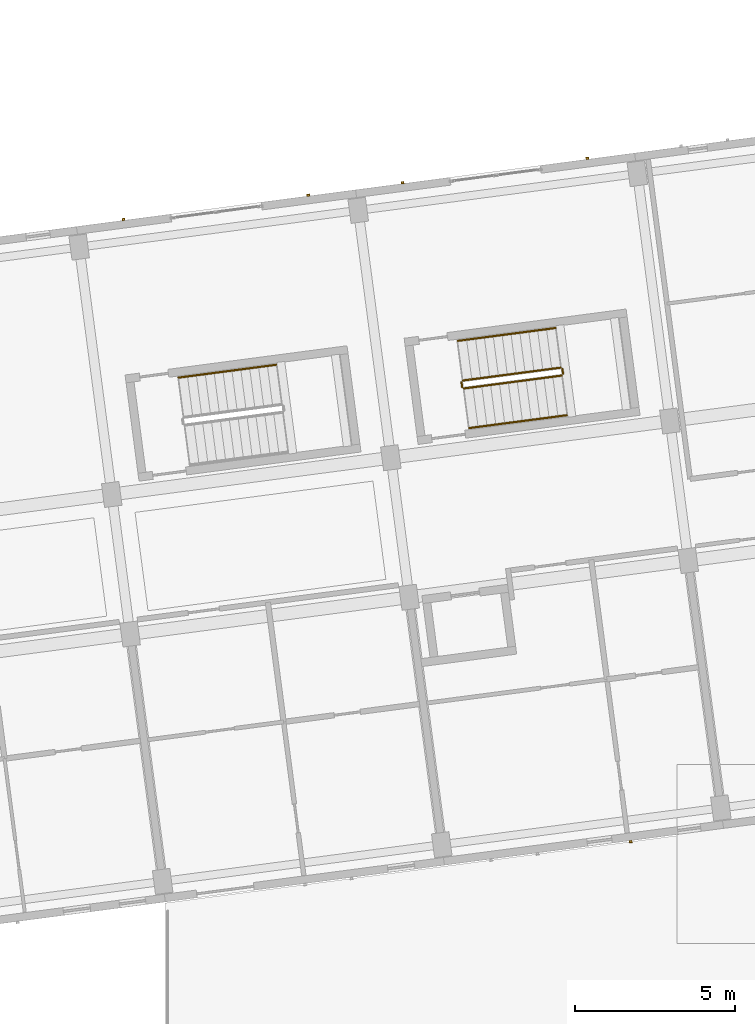
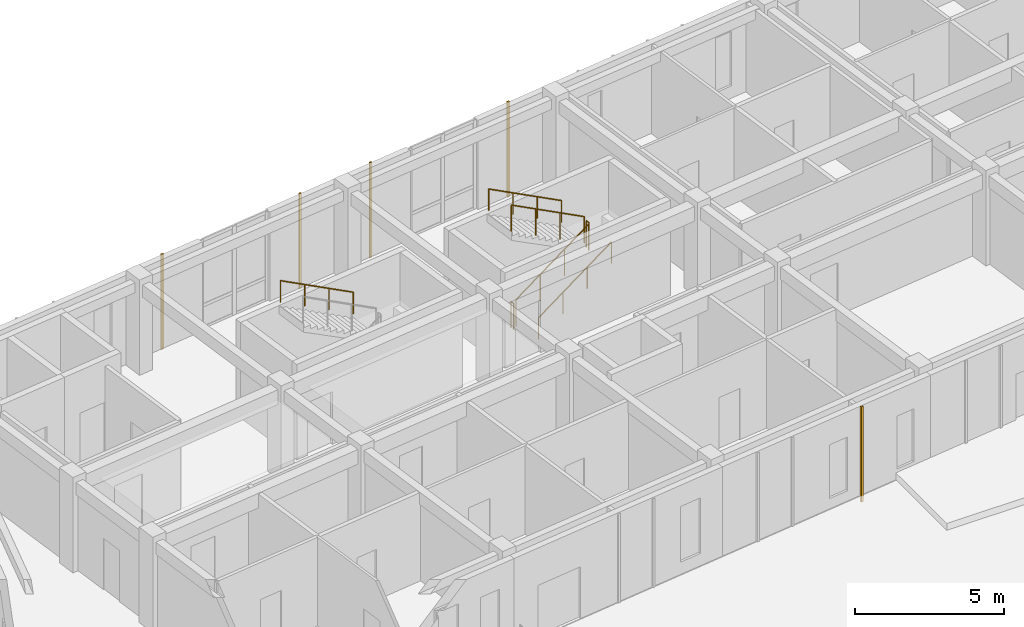
# One storey, part 125 of 150: 7 railings, 5 coverings.
"""IFC4 building model written with IfcOpenShell, lengths in metres."""

from ifc_helpers import new_model, si_unit, direction, frame, origin, origin_2d, place, context, subcontext, project, spatial, rectangle, circle, extrude, material, layer, layer_set, type_object, element, save


model = new_model("IFC4")

# Units and contexts
model_context = context("Model", 3, precision=1e-05, world=origin(), true_north=direction((0.0, 1.0)))
body_context = subcontext(model_context, "Body", "Model", "MODEL_VIEW")
ifc_project = project(units=[si_unit("LENGTHUNIT", "METRE"), si_unit("AREAUNIT", "SQUARE_METRE"), si_unit("VOLUMEUNIT", "CUBIC_METRE"), si_unit("PLANEANGLEUNIT", "RADIAN"), si_unit("MASSUNIT", "GRAM", prefix="KILO")], contexts=[model_context])

# Site, building, storey
site_placement = place(None, origin())
site = spatial("IfcSite", under=ifc_project, at=site_placement, CompositionType="ELEMENT")
building_placement = place(site_placement, origin())
building = spatial("IfcBuilding", under=site, at=building_placement, Name="Kestramere Prow Commons", CompositionType="ELEMENT")
storey_placement = place(building_placement, frame((0.0, 0.0, 4.5)))
storey = spatial("IfcBuildingStorey", under=building, at=storey_placement, Name="L01", CompositionType="ELEMENT", Elevation=4.5)

# Coverings
ifc_material_1 = material(Name="Weathered Zinc-Titanium Standing-Seam Cladding")
ifc_layer = layer(ifc_material_1, 0.074951171875)
ifc_layer_set = layer_set([ifc_layer], Name="Weathered Zinc-Titanium Standing-Seam Cladding")
covering_type = type_object("IfcCoveringType", Name="COV-CLAD-SEAM", PredefinedType="CLADDING", material=ifc_layer_set)
for number, where, z_axis, x_axis, name in (
    (1, (34.554443359375, 74.391357421875, -0.25), (0.0, 0.0, 1.0), (-0.991444861374, -0.13052619222, 0.0), "EW-A-L01-S-2 Standing-Seam Rib 2"),
    (2, (18.700439453125, 93.843505859375, -0.25), (0.0, 0.0, 1.0), (0.991444861374, 0.13052619222, 0.0), "EW-A-L01-NP-1-L Standing-Seam Rib 1"),
    (3, (24.4755859375, 94.603759765625, -0.25), (0.0, 0.0, 1.0), (0.991444861374, 0.13052619222, 0.0), "EW-A-L01-NP-1-R Standing-Seam Rib 1"),
    (4, (27.42529296875, 94.991943359375, -0.25), (0.0, 0.0, 1.0), (0.991444861374, 0.13052619222, 0.0), "EW-A-L01-NP-2-L Standing-Seam Rib 1"),
    (5, (33.200439453125, 95.75244140625, -0.25), (0.0, 0.0, 1.0), (0.991444861374, 0.13052619222, 0.0), "EW-A-L01-NP-2-R Standing-Seam Rib 1"),
):
    element("IfcCovering", number, at=place(storey_placement, frame(where, z_axis=z_axis, x_axis=x_axis)), inside=storey, type_object=covering_type, Name=name, PredefinedType="CLADDING", context=body_context, shape_type="SweptSolid", body=[
        extrude(rectangle(XDim=0.0849609375, YDim=0.06494140625, at=origin_2d()), origin(), (0.0, 0.0, 1.0), 3.89990234375),
    ])

# Railings
ifc_material_2 = material(Name="Galvanised Steel S275JR", Category="steel")
railing_type_1 = type_object("IfcRailingType", Name="RL-ST-GR-1100", PredefinedType="GUARDRAIL", material=ifc_material_2)
railing_1_placement = place(storey_placement, frame((29.34375, 88.559814453125, 0.16259765625)))
element("IfcRailing", 6, at=railing_1_placement, inside=storey, type_object=railing_type_1, Name="L01 ST-A2 stair guard 1", PredefinedType="GUARDRAIL", context=body_context, shape_type="SweptSolid", body=[
    extrude(circle(Radius=0.02392578125, at=origin_2d()), frame((0.0, 0.0, 1.076171875), z_axis=(0.857517859098, 0.11291428797, 0.501909837421), x_axis=(-0.130548830945, 0.991441880666, 0.0)), (0.0, 0.0, 1.0), 3.56103515625),
    extrude(circle(Radius=0.02099609375, at=origin_2d()), origin(), (0.0, 0.0, 1.0), 1.052001953125),
    extrude(circle(Radius=0.02099609375, at=origin_2d()), frame((1.017822265625, 0.134033203125, 0.595703125)), (0.0, 0.0, 1.0), 1.052001953125),
    extrude(circle(Radius=0.02099609375, at=origin_2d()), frame((2.035888671875, 0.26806640625, 1.191650390625)), (0.0, 0.0, 1.0), 1.052001953125),
    extrude(circle(Radius=0.02099609375, at=origin_2d()), frame((3.0537109375, 0.402099609375, 1.787353515625)), (0.0, 0.0, 1.0), 1.052001953125),
])
railing_2_placement = place(storey_placement, frame((32.4404296875, 89.01806640625, 1.949951171875)))
element("IfcRailing", 7, at=railing_2_placement, inside=storey, type_object=railing_type_1, Name="L01 ST-A2 stair guard 2", PredefinedType="GUARDRAIL", context=body_context, shape_type="SweptSolid", body=[
    extrude(circle(Radius=0.02392578125, at=origin_2d()), frame((0.0, 0.0, 1.076171875), z_axis=(-0.130243938252, 0.991481979941, 0.0), x_axis=(-0.991481979941, -0.130243938252, 0.0)), (0.0, 0.0, 1.0), 0.14990234375),
    extrude(circle(Radius=0.02099609375, at=origin_2d()), origin(), (0.0, 0.0, 1.0), 1.052001953125),
    extrude(circle(Radius=0.02099609375, at=origin_2d()), frame((-0.01953125, 0.148681640625, 0.0)), (0.0, 0.0, 1.0), 1.052001953125),
])
railing_3_placement = place(storey_placement, frame((32.36474609375, 89.209716796875, 2.112548828125)))
element("IfcRailing", 8, at=railing_3_placement, inside=storey, type_object=railing_type_1, Name="L01 ST-A2 stair guard 3", PredefinedType="GUARDRAIL", context=body_context, shape_type="SweptSolid", body=[
    extrude(circle(Radius=0.02392578125, at=origin_2d()), frame((0.0, 0.0, 1.076171875), z_axis=(-0.857524495315, -0.112846603717, 0.501913721634), x_axis=(0.130470916021, -0.991452137056, 0.0)), (0.0, 0.0, 1.0), 3.56103515625),
    extrude(circle(Radius=0.02099609375, at=origin_2d()), origin(), (0.0, 0.0, 1.0), 1.052001953125),
    extrude(circle(Radius=0.02099609375, at=origin_2d()), frame((-1.017822265625, -0.134033203125, 0.595703125)), (0.0, 0.0, 1.0), 1.052001953125),
    extrude(circle(Radius=0.02099609375, at=origin_2d()), frame((-2.035888671875, -0.267822265625, 1.191650390625)), (0.0, 0.0, 1.0), 1.052001953125),
    extrude(circle(Radius=0.02099609375, at=origin_2d()), frame((-3.0537109375, -0.40185546875, 1.787353515625)), (0.0, 0.0, 1.0), 1.052001953125),
])
railing_4_placement = place(storey_placement, frame((29.28759765625, 88.60302734375, 0.0)))
element("IfcRailing", 9, at=railing_4_placement, inside=storey, type_object=railing_type_1, Name="L01 ST-A2 stair guard 4", PredefinedType="GUARDRAIL", context=body_context, shape_type="SweptSolid", body=[
    extrude(circle(Radius=0.02392578125, at=origin_2d()), frame((0.0, 0.0, 1.076171875), z_axis=(-0.130243938252, 0.991481979941, 0.0), x_axis=(-0.991481979941, -0.130243938252, 0.0)), (0.0, 0.0, 1.0), 0.14990234375),
    extrude(circle(Radius=0.02099609375, at=origin_2d()), origin(), (0.0, 0.0, 1.0), 1.052001953125),
    extrude(circle(Radius=0.02099609375, at=origin_2d()), frame((-0.01953125, 0.148681640625, 0.0)), (0.0, 0.0, 1.0), 1.052001953125),
])
ifc_material_3 = material(Name="Stainless Steel 304", Category="steel")
railing_type_2 = type_object("IfcRailingType", Name="RL-ST-HR-900", PredefinedType="HANDRAIL", material=ifc_material_3)
railing_5_placement = place(storey_placement, frame((23.476806640625, 89.300537109375, 2.27490234375)))
element("IfcRailing", 10, at=railing_5_placement, inside=storey, type_object=railing_type_2, Name="L01 ST-A1 stair handrail 2", PredefinedType="HANDRAIL", context=body_context, shape_type="SweptSolid", body=[
    extrude(circle(Radius=0.02392578125, at=origin_2d()), frame((0.0, 0.0, 0.8759765625), z_axis=(-0.857488351666, -0.112910402558, 0.501961121754), x_axis=(0.130548830945, -0.991441880666, 0.0)), (0.0, 0.0, 1.0), 3.561279296875),
    extrude(circle(Radius=0.02099609375, at=origin_2d()), origin(), (0.0, 0.0, 1.0), 0.851806640625),
    extrude(circle(Radius=0.02099609375, at=origin_2d()), frame((-1.017822265625, -0.134033203125, 0.595947265625)), (0.0, 0.0, 1.0), 0.851806640625),
    extrude(circle(Radius=0.02099609375, at=origin_2d()), frame((-2.035888671875, -0.26806640625, 1.191650390625)), (0.0, 0.0, 1.0), 0.851806640625),
    extrude(circle(Radius=0.02099609375, at=origin_2d()), frame((-3.0537109375, -0.402099609375, 1.78759765625)), (0.0, 0.0, 1.0), 0.851806640625),
])
railing_6_placement = place(storey_placement, frame((29.5068359375, 87.320556640625, 0.324951171875)))
element("IfcRailing", 11, at=railing_6_placement, inside=storey, type_object=railing_type_2, Name="L01 ST-A2 stair handrail 1", PredefinedType="HANDRAIL", context=body_context, shape_type="SweptSolid", body=[
    extrude(circle(Radius=0.02392578125, at=origin_2d()), frame((0.0, 0.0, 0.8759765625), z_axis=(0.857488351666, 0.112910402558, 0.501961121754), x_axis=(-0.130548830945, 0.991441880666, 0.0)), (0.0, 0.0, 1.0), 3.561279296875),
    extrude(circle(Radius=0.02099609375, at=origin_2d()), origin(), (0.0, 0.0, 1.0), 0.851806640625),
    extrude(circle(Radius=0.02099609375, at=origin_2d()), frame((1.017822265625, 0.134033203125, 0.595947265625)), (0.0, 0.0, 1.0), 0.851806640625),
    extrude(circle(Radius=0.02099609375, at=origin_2d()), frame((2.035888671875, 0.26806640625, 1.191650390625)), (0.0, 0.0, 1.0), 0.851806640625),
    extrude(circle(Radius=0.02099609375, at=origin_2d()), frame((3.0537109375, 0.402099609375, 1.78759765625)), (0.0, 0.0, 1.0), 0.851806640625),
])
railing_7_placement = place(storey_placement, frame((32.20166015625, 90.448974609375, 2.27490234375)))
element("IfcRailing", 12, at=railing_7_placement, inside=storey, type_object=railing_type_2, Name="L01 ST-A2 stair handrail 2", PredefinedType="HANDRAIL", context=body_context, shape_type="SweptSolid", body=[
    extrude(circle(Radius=0.02392578125, at=origin_2d()), frame((0.0, 0.0, 0.8759765625), z_axis=(-0.857494987197, -0.112842720573, 0.501965006097), x_axis=(0.130470916021, -0.991452137056, 0.0)), (0.0, 0.0, 1.0), 3.561279296875),
    extrude(circle(Radius=0.02099609375, at=origin_2d()), origin(), (0.0, 0.0, 1.0), 0.851806640625),
    extrude(circle(Radius=0.02099609375, at=origin_2d()), frame((-1.017822265625, -0.134033203125, 0.595947265625)), (0.0, 0.0, 1.0), 0.851806640625),
    extrude(circle(Radius=0.02099609375, at=origin_2d()), frame((-2.035888671875, -0.267822265625, 1.191650390625)), (0.0, 0.0, 1.0), 0.851806640625),
    extrude(circle(Radius=0.02099609375, at=origin_2d()), frame((-3.0537109375, -0.40185546875, 1.78759765625)), (0.0, 0.0, 1.0), 0.851806640625),
])

save(model, "model.ifc")
